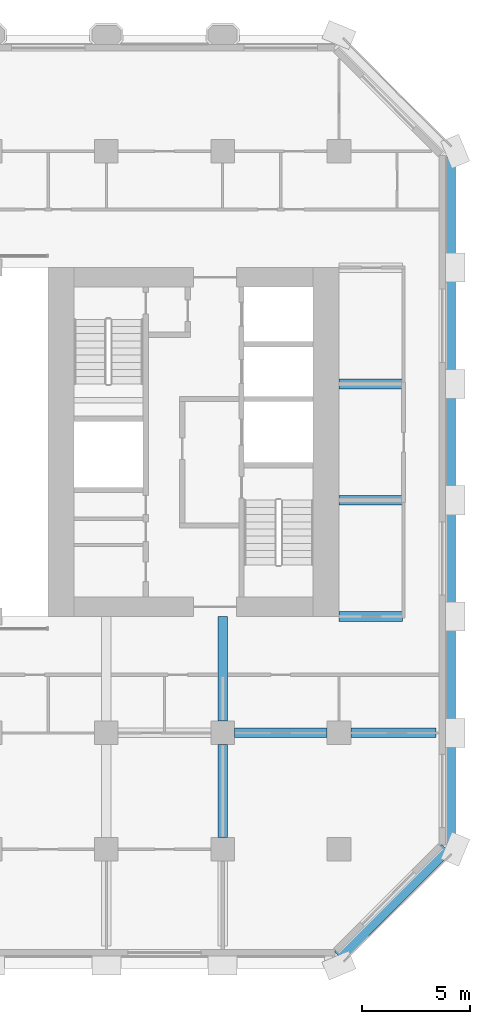
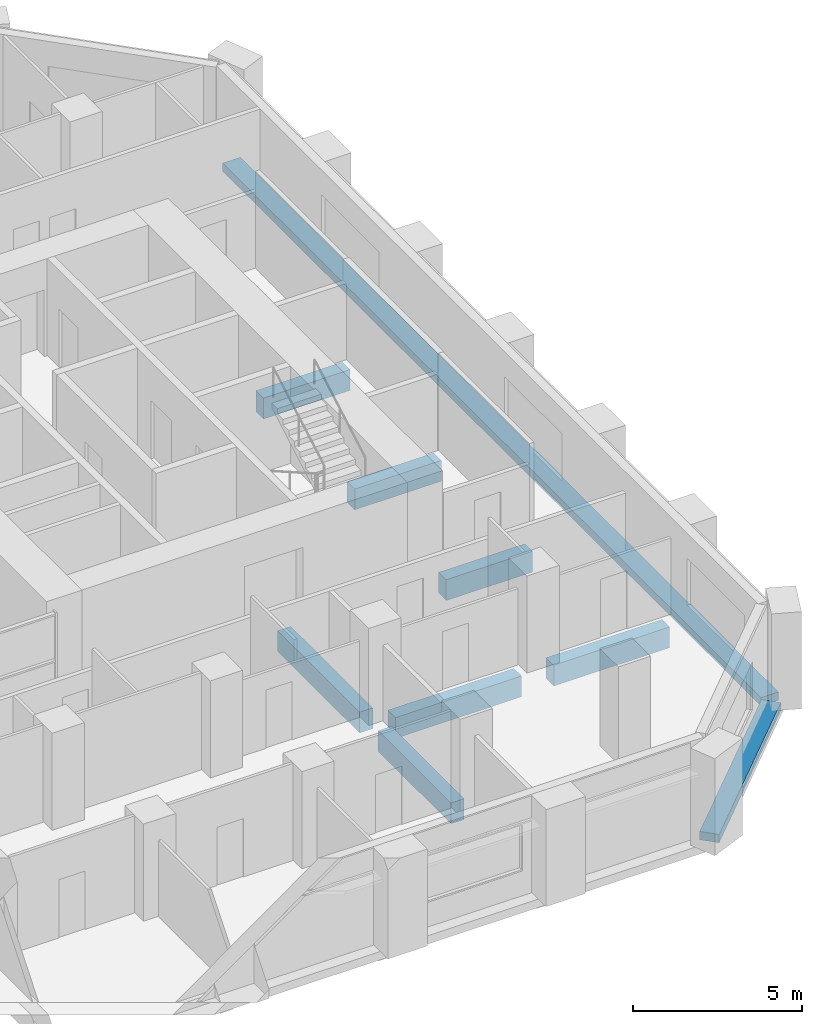
# One storey, part 5 of 13: 9 beams.
"""IFC4 building model written with IfcOpenShell, lengths in metres."""

from ifc_helpers import new_model, si_unit, direction, frame, origin, origin_2d, place, context, subcontext, project, spatial, rectangle, extrude, material, material_profile, profile_set, type_object, element, save


model = new_model("IFC4")

# Units and contexts
model_context = context("Model", 3, precision=1e-05, world=origin(), true_north=direction((0.0, 1.0)))
body_context = subcontext(model_context, "Body", "Model", "MODEL_VIEW")
ifc_project = project(units=[si_unit("LENGTHUNIT", "METRE"), si_unit("AREAUNIT", "SQUARE_METRE"), si_unit("VOLUMEUNIT", "CUBIC_METRE"), si_unit("PLANEANGLEUNIT", "RADIAN"), si_unit("MASSUNIT", "GRAM", prefix="KILO")], contexts=[model_context])

# Site, building, storey
site_placement = place(None, origin())
site = spatial("IfcSite", under=ifc_project, at=site_placement, CompositionType="ELEMENT")
building_placement = place(site_placement, origin())
building = spatial("IfcBuilding", under=site, at=building_placement, Name="Tabaq Tower and Sports Hall", CompositionType="ELEMENT")
storey_placement = place(building_placement, frame((0.0, 0.0, 41.199951171875)))
storey = spatial("IfcBuildingStorey", under=building, at=storey_placement, Name="L08", CompositionType="ELEMENT", Elevation=41.199951171875)

# Beams
ifc_material_1 = material(Name="Concrete C40/50", Category="concrete")
ifc_material_profile_1 = material_profile(ifc_material_1, rectangle(XDim=0.449951171875, YDim=0.75, at=origin_2d()), Name="CB 450x750")
ifc_profile_set_1 = profile_set([ifc_material_profile_1], Name="Concrete C40/50")
beam_type_1 = type_object("IfcBeamType", Name="PT CANTILEVER BEAM CB 450x750 C40/50", PredefinedType="BEAM", material=ifc_profile_set_1)
beam_1_placement = place(storey_placement, frame((47.699951171875, 10.800048828125, -0.675048828125), z_axis=(-1.0, 0.0, 0.0), x_axis=(0.0, -1.0, 0.0)))
element("IfcBeam", 1, at=beam_1_placement, inside=storey, type_object=beam_type_1, Name="Cantilever Beam L08 E2 span 1", PredefinedType="BEAM", context=body_context, shape_type="SweptSolid", body=[
    extrude(rectangle(XDim=0.449951171875, YDim=0.75, at=origin_2d()), origin(), (0.0, 0.0, 1.0), 3.949951171875),
])
beam_2_placement = place(storey_placement, frame((42.64990234375, 10.800048828125, -0.675048828125), z_axis=(-1.0, 0.0, 0.0), x_axis=(0.0, -1.0, 0.0)))
element("IfcBeam", 2, at=beam_2_placement, inside=storey, type_object=beam_type_1, Name="Cantilever Beam L08 E2 span 2", PredefinedType="BEAM", context=body_context, shape_type="SweptSolid", body=[
    extrude(rectangle(XDim=0.449951171875, YDim=0.75, at=origin_2d()), origin(), (0.0, 0.0, 1.0), 4.2998046875),
])
for number, where, z_axis, x_axis, name in (
    (3, (46.14990234375, 16.199951171875, -0.675048828125), (-1.0, 0.0, 0.0), (0.0, -1.0, 0.0), "Cantilever Beam L08 E3 span 1"),
    (4, (46.14990234375, 21.60009765625, -0.675048828125), (-1.0, 0.0, 0.0), (0.0, -1.0, 0.0), "Cantilever Beam L08 E4 span 1"),
    (5, (46.14990234375, 27.0, -0.675048828125), (-1.0, 0.0, 0.0), (0.0, -1.0, 0.0), "Cantilever Beam L08 E5 span 1"),
):
    element("IfcBeam", number, at=place(storey_placement, frame(where, z_axis=z_axis, x_axis=x_axis)), inside=storey, type_object=beam_type_1, Name=name, PredefinedType="BEAM", context=body_context, shape_type="SweptSolid", body=[
        extrude(rectangle(XDim=0.449951171875, YDim=0.75, at=origin_2d()), origin(), (0.0, 0.0, 1.0), 2.949951171875),
    ])
beam_3_placement = place(storey_placement, frame((37.800048828125, 5.949951171875, -0.675048828125), z_axis=(0.0, 1.0, 0.0), x_axis=(-1.0, 0.0, 0.0)))
element("IfcBeam", 6, at=beam_3_placement, inside=storey, type_object=beam_type_1, Name="Cantilever Beam L08 S7 span 2", PredefinedType="BEAM", context=body_context, shape_type="SweptSolid", body=[
    extrude(rectangle(XDim=0.449951171875, YDim=0.75, at=origin_2d()), origin(), (0.0, 0.0, 1.0), 4.300048828125),
])
beam_4_placement = place(storey_placement, frame((37.800048828125, 11.35009765625, -0.675048828125), z_axis=(0.0, 1.0, 0.0), x_axis=(-1.0, 0.0, 0.0)))
element("IfcBeam", 7, at=beam_4_placement, inside=storey, type_object=beam_type_1, Name="Cantilever Beam L08 S7 span 3", PredefinedType="BEAM", context=body_context, shape_type="SweptSolid", body=[
    extrude(rectangle(XDim=0.449951171875, YDim=0.75, at=origin_2d()), origin(), (0.0, 0.0, 1.0), 4.849853515625),
])
ifc_material_2 = material(Name="Concrete C40/50", Category="concrete")
ifc_material_profile_2 = material_profile(ifc_material_2, rectangle(XDim=0.60009765625, YDim=0.300048828125, at=origin_2d()), Name="EB 600x300")
ifc_profile_set_2 = profile_set([ifc_material_profile_2], Name="Concrete C40/50")
beam_type_2 = type_object("IfcBeamType", Name="PT EDGE BEAM EB 600x300 C40/50", PredefinedType="SPANDREL", material=ifc_profile_set_2)
beam_5_placement = place(storey_placement, frame((43.198974609375, 0.42333984375, -0.14990234375), z_axis=(0.707106781187, 0.707106781187, 0.0), x_axis=(-0.707106781187, 0.707106781187, 0.0)))
element("IfcBeam", 8, at=beam_5_placement, inside=storey, type_object=beam_type_2, Name="Edge Beam L08 2", PredefinedType="SPANDREL", context=body_context, shape_type="SweptSolid", body=[
    extrude(rectangle(XDim=0.60009765625, YDim=0.300048828125, at=origin_2d()), origin(), (0.0, 0.0, 1.0), 7.03955078125),
])
beam_6_placement = place(storey_placement, frame((48.300048828125, 5.698486328125, -0.14990234375), z_axis=(0.0, 1.0, 0.0), x_axis=(-1.0, 0.0, 0.0)))
element("IfcBeam", 9, at=beam_6_placement, inside=storey, type_object=beam_type_2, Name="Edge Beam L08 3", PredefinedType="SPANDREL", context=body_context, shape_type="SweptSolid", body=[
    extrude(rectangle(XDim=0.60009765625, YDim=0.300048828125, at=origin_2d()), origin(), (0.0, 0.0, 1.0), 31.802978515625),
])

save(model, "model.ifc")
